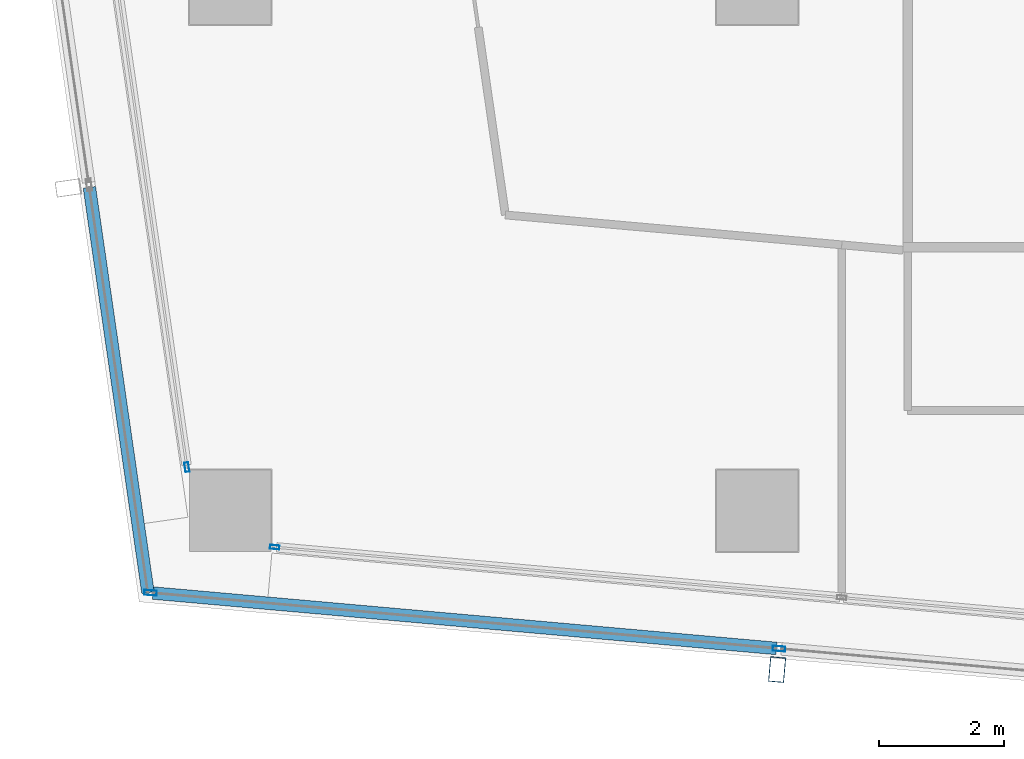
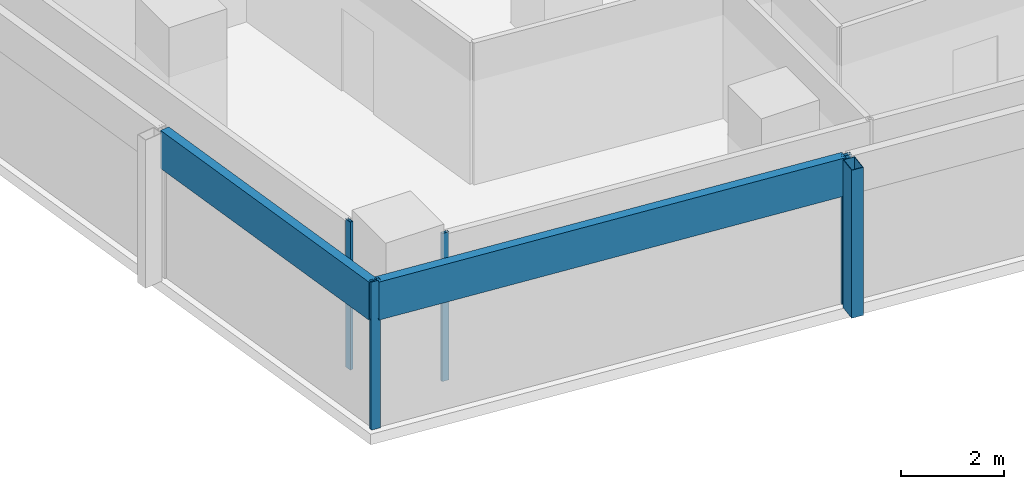
# One storey, part 2 of 29: 7 members, 4 elements without a shape of their own.
"""IFC4 building model written with IfcOpenShell, lengths in metres."""

import ifcopenshell
import ifcopenshell.guid

model = None  # the IFC model being written
_history = None  # IfcOwnerHistory: only IFC2X3 demands one
_inside = {}  # id of a spatial element -> (the spatial element, [elements in it])
_under = {}  # id of a project, library or spatial element -> (it, [spatial elements below it])
_declared = {}  # id of a project -> (the project, [libraries it declares])
_typed = {}  # id of a type object -> (the type object, [elements of that type])
_made_of = {}  # id of a material, layer set ... -> (it, [elements and type objects made of it])


def new_model(schema):
    """Start an empty IFC model of exactly this schema.

    Asked for "IFC4X3", IfcOpenShell would pick the latest addendum, in which some entities
    have other attributes; the version numbers below select the first issue.
    IFC2X3 requires an IfcOwnerHistory on every rooted entity: one is made here for all.
    """
    global model, _history
    if schema == "IFC4X3":
        model = ifcopenshell.file(schema_version=(4, 3, 0, 0))
    else:
        model = ifcopenshell.file(schema=schema)
    _inside.clear()
    _under.clear()
    _declared.clear()
    _typed.clear()
    _made_of.clear()
    _history = None
    if model.schema == "IFC2X3":
        org = make("IfcOrganization", Name="unknown")
        user = make(
            "IfcPersonAndOrganization",
            ThePerson=make("IfcPerson", FamilyName="unknown"),
            TheOrganization=org,
        )
        app = make(
            "IfcApplication",
            ApplicationDeveloper=org,
            Version="unknown",
            ApplicationFullName="unknown",
            ApplicationIdentifier="unknown",
        )
        _history = make(
            "IfcOwnerHistory",
            OwningUser=user,
            OwningApplication=app,
            ChangeAction="ADDED",
            CreationDate=0,
        )
    return model


def make(cls, **values):
    """One entity of the class cls with the attributes given. An attribute that is None is left unset."""
    return model.create_entity(
        cls, **{name: value for name, value in values.items() if value is not None}
    )


def rooted(cls, **values):
    """An entity with a GlobalId (a new one), such as an element, a storey or a relation."""
    return make(cls, GlobalId=ifcopenshell.guid.new(), OwnerHistory=_history, **values)


def si_unit(unit_type, name, prefix=None):
    """IfcSIUnit, for example si_unit("LENGTHUNIT", "METRE", prefix="MILLI")."""
    return make("IfcSIUnit", UnitType=unit_type, Prefix=prefix, Name=name)


def assignment(units):
    """IfcUnitAssignment: the units of a project."""
    return None if units is None else make("IfcUnitAssignment", Units=units)


def point(xyz):
    """IfcCartesianPoint."""
    return None if xyz is None else make("IfcCartesianPoint", Coordinates=xyz)


def direction(xyz):
    """IfcDirection."""
    return None if xyz is None else make("IfcDirection", DirectionRatios=xyz)


def frame(location, z_axis=None, x_axis=None):
    """IfcAxis2Placement3D, a coordinate frame: its origin and axes. An axis left out is left unset."""
    return make(
        "IfcAxis2Placement3D",
        Location=point(location),
        Axis=direction(z_axis),
        RefDirection=direction(x_axis),
    )


def frame_2d(location, x_axis=None):
    """IfcAxis2Placement2D, a coordinate frame in the plane: its origin and x axis."""
    return make(
        "IfcAxis2Placement2D", Location=point(location), RefDirection=direction(x_axis)
    )


def origin():
    """The frame at (0, 0, 0) with its axes left unset."""
    return frame((0.0, 0.0, 0.0))


def origin_2d():
    """The frame at (0, 0) in the plane with its x axis left unset."""
    return frame_2d((0.0, 0.0))


def place(relative_to, where):
    """IfcLocalPlacement: puts the frame where relative to a parent placement (None: the world)."""
    return make(
        "IfcLocalPlacement", PlacementRelTo=relative_to, RelativePlacement=where
    )


def context(
    kind, dimensions, precision=None, world=None, true_north=None, identifier=None
):
    """IfcGeometricRepresentationContext, for example the 3D "Model" context."""
    return make(
        "IfcGeometricRepresentationContext",
        ContextIdentifier=identifier,
        ContextType=kind,
        CoordinateSpaceDimension=dimensions,
        Precision=precision,
        WorldCoordinateSystem=world,
        TrueNorth=true_north,
    )


def subcontext(parent, identifier, kind, view, scale=None):
    """IfcGeometricRepresentationSubContext, for example "Body" below "Model"."""
    return make(
        "IfcGeometricRepresentationSubContext",
        ContextIdentifier=identifier,
        ContextType=kind,
        ParentContext=parent,
        TargetScale=scale,
        TargetView=view,
    )


def project(units=None, contexts=None):
    """IfcProject with its units and contexts."""
    return rooted(
        "IfcProject",
        Name="project",
        RepresentationContexts=contexts,
        UnitsInContext=assignment(units),
    )


def spatial(cls, under=None, at=None, **own):
    """A site, building, storey or space (cls), placed at a placement, below another one or the project."""
    s = rooted(cls, ObjectPlacement=at, **own)
    if under is not None:
        _under.setdefault(under.id(), (under, []))[1].append(s)
    return s


def profile(cls, at=None, kind="AREA", **sizes):
    """A parametric profile (cls). Its sizes go by their IFC names, for example OverallWidth=200.0."""
    return make(cls, ProfileType=kind, Position=at, **sizes)


def hollow_rectangle(**sizes):
    """IfcRectangleHollowProfileDef."""
    return profile("IfcRectangleHollowProfileDef", **sizes)


def extrude(swept, where, along, depth):
    """IfcExtrudedAreaSolid: the profile swept, set in the frame where, extruded along a direction by depth."""
    return make(
        "IfcExtrudedAreaSolid",
        SweptArea=swept,
        Position=where,
        ExtrudedDirection=direction(along),
        Depth=depth,
    )


def shape(context_of_items, identifier, shape_type, items):
    """IfcShapeRepresentation: the items that make up one representation, for example the "Body"."""
    return make(
        "IfcShapeRepresentation",
        ContextOfItems=context_of_items,
        RepresentationIdentifier=identifier,
        RepresentationType=shape_type,
        Items=items,
    )


def material(Name=None, Category=None):
    """IfcMaterial."""
    return make("IfcMaterial", Name=Name, Category=Category)


def material_profile(
    of_material, cross_section, Name=None, Category=None, Priority=None
):
    """IfcMaterialProfile: a cross section and its material."""
    return make(
        "IfcMaterialProfile",
        Name=Name,
        Material=of_material,
        Profile=cross_section,
        Priority=Priority,
        Category=Category,
    )


def profile_set(profiles, Name=None, composite=None):
    """IfcMaterialProfileSet."""
    return make(
        "IfcMaterialProfileSet",
        Name=Name,
        MaterialProfiles=profiles,
        CompositeProfile=composite,
    )


def made_of(thing, what):
    """Note that an element or type object is made of a material, layer set ...; save() writes the relation."""
    if what is not None:
        _made_of.setdefault(what.id(), (what, []))[1].append(thing)
    return thing


def type_object(cls, material=None, **own):
    """A type object (cls), such as IfcWallType, which elements share."""
    return made_of(rooted(cls, **own), material)


def element(
    cls,
    number,
    at=None,
    inside=None,
    cuts=None,
    type_object=None,
    material=None,
    context=None,
    identifier="Body",
    shape_type=None,
    held_by="IfcProductDefinitionShape",
    body=None,
    shapes=None,
    **own,
):
    """One element of the class cls, such as IfcWall. Its Tag is "e" and its number.

    at: its placement. inside: the storey or other place that contains it. cuts: it is an
    opening in that element (IfcRelVoidsElement). A single representation is given by context,
    identifier, shape_type and body (its items); several are given by shapes. held_by: the class
    of the entity that holds the representations. save() writes the other relations.
    """
    e = rooted(cls, Tag="e%d" % number, ObjectPlacement=at, **own)
    if body is not None:
        shapes = [shape(context, identifier, shape_type, body)]
    if shapes is not None:
        e.Representation = make(held_by, Representations=shapes)
    if inside is not None:
        _inside.setdefault(inside.id(), (inside, []))[1].append(e)
    if cuts is not None:
        rooted(
            "IfcRelVoidsElement", RelatingBuildingElement=cuts, RelatedOpeningElement=e
        )
    if type_object is not None:
        _typed.setdefault(type_object.id(), (type_object, []))[1].append(e)
    return made_of(e, material)


def aggregate(whole, parts):
    """IfcRelAggregates: a whole, such as a stair, and the parts it consists of."""
    return rooted("IfcRelAggregates", RelatingObject=whole, RelatedObjects=parts)


def save(model, path):
    """Write the relations noted so far, then the file.

    IfcRelAggregates (storeys below a building ...), IfcRelContainedInSpatialStructure (elements
    in a storey), IfcRelDefinesByType, IfcRelAssociatesMaterial and IfcRelDeclares: one each for
    every whole, place, type object, material and project.
    """
    for whole, parts in _under.values():
        aggregate(whole, parts)
    for where, things in _inside.values():
        rooted(
            "IfcRelContainedInSpatialStructure",
            RelatedElements=things,
            RelatingStructure=where,
        )
    for kind, things in _typed.values():
        rooted("IfcRelDefinesByType", RelatedObjects=things, RelatingType=kind)
    for what, things in _made_of.values():
        rooted("IfcRelAssociatesMaterial", RelatedObjects=things, RelatingMaterial=what)
    for by, libraries in _declared.values():
        rooted("IfcRelDeclares", RelatingContext=by, RelatedDefinitions=libraries)
    model.write(path)


model = new_model("IFC4")

# Units and contexts
model_context = context("Model", 3, precision=1e-05, world=origin(), true_north=direction((0.0, 1.0)))
body_context = subcontext(model_context, "Body", "Model", "MODEL_VIEW")
ifc_project = project(units=[si_unit("LENGTHUNIT", "METRE"), si_unit("AREAUNIT", "SQUARE_METRE"), si_unit("VOLUMEUNIT", "CUBIC_METRE"), si_unit("PLANEANGLEUNIT", "RADIAN"), si_unit("MASSUNIT", "GRAM", prefix="KILO")], contexts=[model_context])

# Site, building, storey
site_placement = place(None, origin())
site = spatial("IfcSite", under=ifc_project, at=site_placement, CompositionType="ELEMENT")
building_placement = place(site_placement, origin())
building = spatial("IfcBuilding", under=site, at=building_placement, Name="Rekha Terrace Tower", CompositionType="ELEMENT")
storey_placement = place(building_placement, frame((0.0, 0.0, 276.35009765625)))
storey = spatial("IfcBuildingStorey", under=building, at=storey_placement, Name="L70", CompositionType="ELEMENT", Elevation=276.35009765625)

# Curtain wall, member
ifc_material_1 = material(Name="Aluminium framing", Category="aluminium")
curtain_wall_type_1 = type_object("IfcCurtainWallType", Name="CW2 double skin outer glazing", PredefinedType="USERDEFINED", material=ifc_material_1)
curtain_wall_1_placement = place(storey_placement, origin())
curtain_wall_1 = element("IfcCurtainWall", 1, at=curtain_wall_1_placement, inside=storey, type_object=curtain_wall_type_1, Name="CW2 double skin outer glazing", ObjectType="DOUBLE SKIN OUTER GLAZING", PredefinedType="USERDEFINED")
ifc_material_2 = material(Name="Steel S355 with fluorocarbon finish", Category="steel")
ifc_material_profile_1 = material_profile(ifc_material_2, hollow_rectangle(XDim=0.25, YDim=0.39990234375, WallThickness=0.012451171875, at=origin_2d()), Name="RHS400x250x12.5")
ifc_profile_set_1 = profile_set([ifc_material_profile_1], Name="Steel S355 with fluorocarbon finish")
member_type_1 = type_object("IfcMemberType", Name="BL1 facade blade RHS 400 x 250", PredefinedType="USERDEFINED", material=ifc_profile_set_1)
member_1_placement = place(storey_placement, frame((17.118896484375, 14.2705078125, 0.0), z_axis=(0.0, 0.0, 1.0), x_axis=(0.996074197996, -0.088522268879, 0.0)))
member_1 = element("IfcMember", 2, at=member_1_placement, type_object=member_type_1, Name="Facade blade", ObjectType="FACADE BLADE", PredefinedType="USERDEFINED", context=body_context, shape_type="SweptSolid", body=[
    extrude(hollow_rectangle(XDim=0.25, YDim=0.39990234375, WallThickness=0.012451171875, at=origin_2d()), origin(), (0.0, 0.0, 1.0), 3.5),
])

curtain_wall_type_2 = type_object("IfcCurtainWallType", Name="CW1 double skin inner glazing", PredefinedType="USERDEFINED", material=ifc_material_1)
curtain_wall_2_placement = place(storey_placement, origin())
curtain_wall_2 = element("IfcCurtainWall", 3, at=curtain_wall_2_placement, inside=storey, type_object=curtain_wall_type_2, Name="CW1 double skin inner glazing", ObjectType="DOUBLE SKIN INNER GLAZING", PredefinedType="USERDEFINED")
ifc_material_3 = material(Name="Aluminium mullion section", Category="aluminium")
ifc_material_profile_2 = material_profile(ifc_material_3, hollow_rectangle(XDim=0.06494140625, YDim=0.14990234375, WallThickness=0.00390625, at=origin_2d()), Name="AL RHS 65x150")
ifc_profile_set_2 = profile_set([ifc_material_profile_2], Name="Aluminium mullion section")
member_type_2 = type_object("IfcMemberType", Name="CW1 mullion RHS 65 x 150", PredefinedType="MULLION", material=ifc_profile_set_2)
member_2_placement = place(storey_placement, frame((9.109130859375, 16.222412109375, 0.0), z_axis=(0.0, 0.0, 1.0), x_axis=(0.088522441405, 0.996074182663, 0.0)))
member_2 = element("IfcMember", 4, at=member_2_placement, type_object=member_type_2, Name="CW1 mullion 1", PredefinedType="MULLION", context=body_context, shape_type="SweptSolid", body=[
    extrude(hollow_rectangle(XDim=0.06494140625, YDim=0.14990234375, WallThickness=0.00390625, at=origin_2d()), origin(), (0.0, 0.0, 1.0), 3.5),
])
aggregate(curtain_wall_2, [member_2])

curtain_wall_3_placement = place(storey_placement, origin())
curtain_wall_3 = element("IfcCurtainWall", 5, at=curtain_wall_3_placement, inside=storey, type_object=curtain_wall_type_2, Name="CW1 double skin inner glazing", ObjectType="DOUBLE SKIN INNER GLAZING", PredefinedType="USERDEFINED")
member_3_placement = place(storey_placement, frame((7.71044921875, 17.497314453125, 0.0), z_axis=(0.0, 0.0, 1.0), x_axis=(0.989707031394, 0.143108322643, 0.0)))
member_3 = element("IfcMember", 6, at=member_3_placement, type_object=member_type_2, Name="CW1 mullion 2", PredefinedType="MULLION", context=body_context, shape_type="SweptSolid", body=[
    extrude(hollow_rectangle(XDim=0.06494140625, YDim=0.14990234375, WallThickness=0.00390625, at=origin_2d()), origin(), (0.0, 0.0, 1.0), 3.5),
])
aggregate(curtain_wall_3, [member_3])

# Member
ifc_material_profile_3 = material_profile(ifc_material_3, hollow_rectangle(XDim=0.080078125, YDim=0.199951171875, WallThickness=0.00390625, at=origin_2d()), Name="AL RHS 80x200")
ifc_profile_set_3 = profile_set([ifc_material_profile_3], Name="Aluminium mullion section")
member_type_3 = type_object("IfcMemberType", Name="CW2 mullion RHS 80 x 200", PredefinedType="MULLION", material=ifc_profile_set_3)
member_4_placement = place(storey_placement, frame((7.130126953125, 15.49462890625, 0.0), z_axis=(0.0, 0.0, 1.0), x_axis=(0.088522441457, 0.996074182658, 0.0)))
member_4 = element("IfcMember", 7, at=member_4_placement, type_object=member_type_3, Name="CW2 mullion 1", PredefinedType="MULLION", context=body_context, shape_type="SweptSolid", body=[
    extrude(hollow_rectangle(XDim=0.080078125, YDim=0.199951171875, WallThickness=0.00390625, at=origin_2d()), origin(), (0.0, 0.0, 1.0), 3.5),
])

member_5_placement = place(storey_placement, frame((17.1484375, 14.604248046875, 0.0), z_axis=(0.0, 0.0, 1.0), x_axis=(0.088522441457, 0.996074182658, 0.0)))
member_5 = element("IfcMember", 8, at=member_5_placement, type_object=member_type_3, Name="CW2 mullion 2", PredefinedType="MULLION", context=body_context, shape_type="SweptSolid", body=[
    extrude(hollow_rectangle(XDim=0.080078125, YDim=0.199951171875, WallThickness=0.00390625, at=origin_2d()), origin(), (0.0, 0.0, 1.0), 3.5),
])

ifc_material_4 = material(Name="Insulated aluminium spandrel box", Category="aluminium")
ifc_material_profile_4 = material_profile(ifc_material_4, hollow_rectangle(XDim=0.199951171875, YDim=0.89990234375, WallThickness=0.0029296875, at=origin_2d()), Name="AL SPANDREL BOX 200x900")
ifc_profile_set_4 = profile_set([ifc_material_profile_4], Name="Insulated aluminium spandrel box")
member_type_4 = type_object("IfcMemberType", Name="CW2 spandrel transom 200 x 900", PredefinedType="USERDEFINED", material=ifc_profile_set_4)
member_6_placement = place(storey_placement, frame((7.169921875, 15.490966796875, 3.0498046875), z_axis=(0.996076044645, -0.088501487472, 0.0), x_axis=(0.088501487472, 0.996076044645, 0.0)))
member_6 = element("IfcMember", 9, at=member_6_placement, type_object=member_type_4, Name="CW2 spandrel transom 1", ObjectType="TRANSOM", PredefinedType="USERDEFINED", context=body_context, shape_type="SweptSolid", body=[
    extrude(hollow_rectangle(XDim=0.199951171875, YDim=0.89990234375, WallThickness=0.0029296875, at=origin_2d()), origin(), (0.0, 0.0, 1.0), 9.977783203125),
])

aggregate(curtain_wall_1, [member_4, member_5, member_6, member_1])

# Curtain wall, member
curtain_wall_4_placement = place(storey_placement, origin())
curtain_wall_4 = element("IfcCurtainWall", 10, at=curtain_wall_4_placement, inside=storey, type_object=curtain_wall_type_1, Name="CW2 double skin outer glazing", ObjectType="DOUBLE SKIN OUTER GLAZING", PredefinedType="USERDEFINED")
member_7_placement = place(storey_placement, frame((6.15625, 21.95703125, 3.0498046875), z_axis=(0.143128512687, -0.989704111771, 0.0), x_axis=(0.989704111771, 0.143128512687, 0.0)))
member_7 = element("IfcMember", 11, at=member_7_placement, type_object=member_type_4, Name="CW2 spandrel transom 2", ObjectType="TRANSOM", PredefinedType="USERDEFINED", context=body_context, shape_type="SweptSolid", body=[
    extrude(hollow_rectangle(XDim=0.199951171875, YDim=0.89990234375, WallThickness=0.0029296875, at=origin_2d()), origin(), (0.0, 0.0, 1.0), 6.526123046875),
])
aggregate(curtain_wall_4, [member_7])

save(model, "model.ifc")
